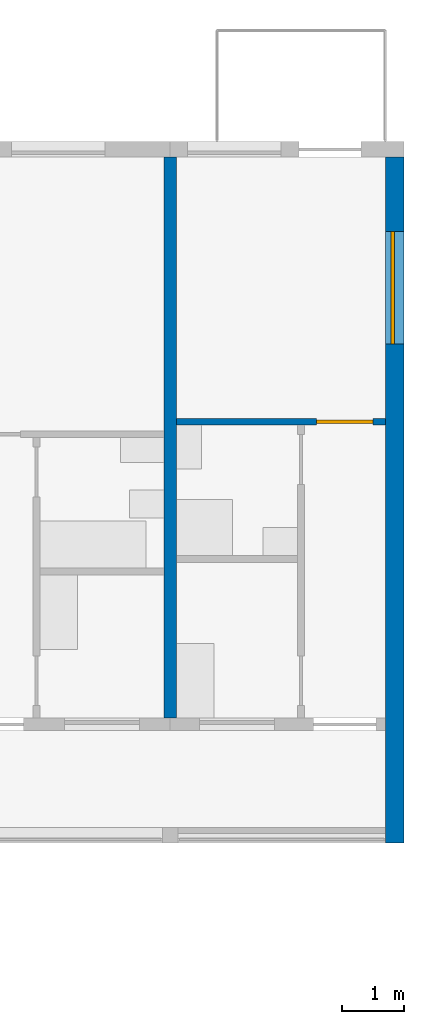
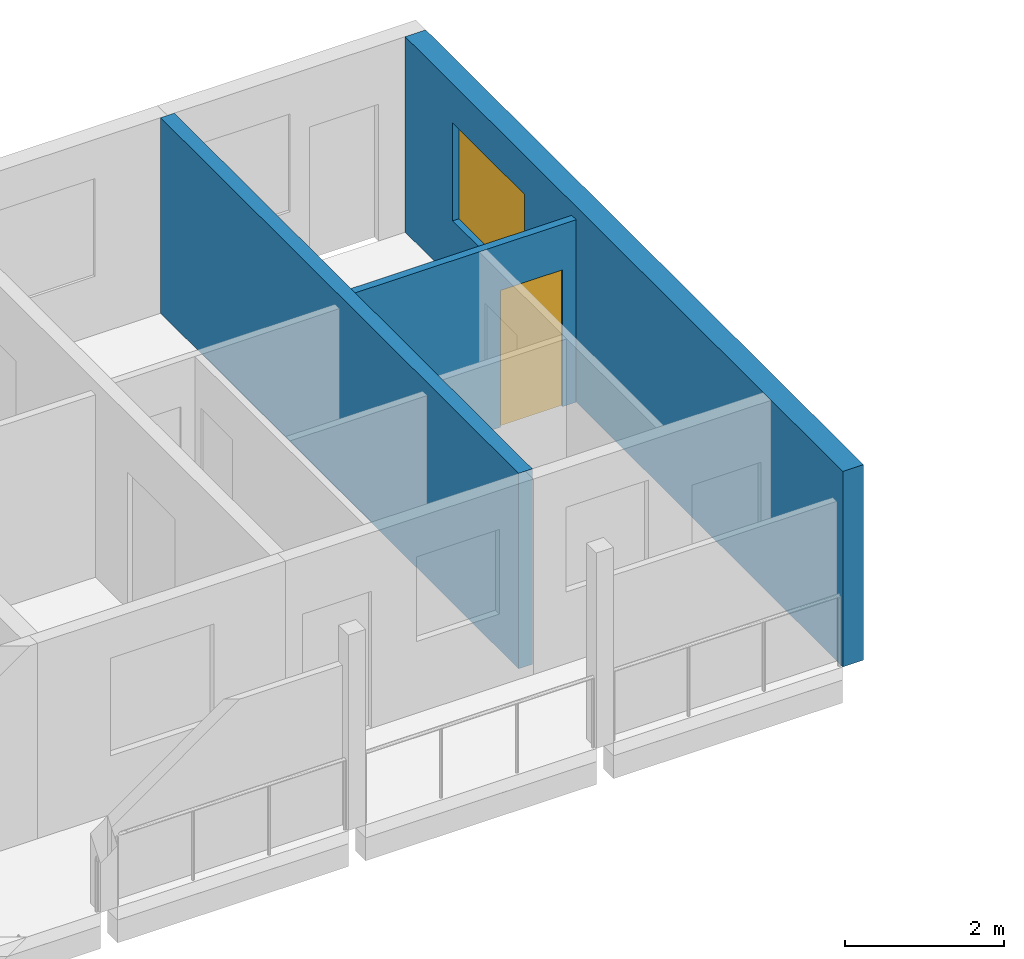
# One storey, part 57 of 99: 3 walls, 1 door, 1 window, 2 openings.
"""IFC4 building model written with IfcOpenShell, lengths in metres."""

from ifc_helpers import new_model, si_unit, direction, frame, frame_2d, origin, place, context, subcontext, project, spatial, rectangle, extrude, material, layer, layer_set, type_object, element, fill, save


model = new_model("IFC4")

# Units and contexts
model_context = context("Model", 3, precision=1e-05, world=origin(), true_north=direction((0.0, 1.0)))
body_context = subcontext(model_context, "Body", "Model", "MODEL_VIEW")
ifc_project = project(units=[si_unit("LENGTHUNIT", "METRE"), si_unit("AREAUNIT", "SQUARE_METRE"), si_unit("VOLUMEUNIT", "CUBIC_METRE"), si_unit("PLANEANGLEUNIT", "RADIAN"), si_unit("MASSUNIT", "GRAM", prefix="KILO")], contexts=[model_context])

# Site, building, storey
site_placement = place(None, origin())
site = spatial("IfcSite", under=ifc_project, at=site_placement, CompositionType="ELEMENT")
building_placement = place(site_placement, origin())
building = spatial("IfcBuilding", under=site, at=building_placement, Name="Ridgestep Commons", CompositionType="ELEMENT")
storey_placement = place(building_placement, frame((0.0, 0.0, 15.0)))
storey = spatial("IfcBuildingStorey", under=building, at=storey_placement, Name="L05", CompositionType="ELEMENT", Elevation=15.0)

# Wall
ifc_material_1 = material(Name="Precast concrete C40/50", Category="concrete")
ifc_layer_1 = layer(ifc_material_1, 0.199951171875)
ifc_layer_set_1 = layer_set([ifc_layer_1], Name="Cross wall 200")
wall_type_1 = type_object("IfcWallType", Name="Cross wall 200", PredefinedType="SHEAR", material=ifc_layer_set_1)
wall_1_placement = place(storey_placement, frame((244.0, 68.0, 0.0), z_axis=(0.0, 0.0, 1.0), x_axis=(0.0, 1.0, 0.0)))
element("IfcWall", 1, at=wall_1_placement, inside=storey, type_object=wall_type_1, Name="Cross wall C-05-2440", PredefinedType="SHEAR", context=body_context, shape_type="SweptSolid", body=[
    extrude(rectangle(XDim=9.0, YDim=0.199951171875, at=frame_2d((4.5, 0.0))), origin(), (0.0, 0.0, 1.0), 3.0),
])

# Wall, opening, window
ifc_material_2 = material(Name="Precast concrete C40/50", Category="concrete")
ifc_layer_2 = layer(ifc_material_2, 0.300048828125)
ifc_layer_set_2 = layer_set([ifc_layer_2], Name="Exposed division wall 300")
wall_type_2 = type_object("IfcWallType", Name="Exposed division wall 300", PredefinedType="SHEAR", material=ifc_layer_set_2)
wall_2_placement = place(storey_placement, frame((247.60009765625, 66.0, 0.0), z_axis=(0.0, 0.0, 1.0), x_axis=(0.0, 1.0, 0.0)))
wall_2 = element("IfcWall", 2, at=wall_2_placement, inside=storey, type_object=wall_type_2, Name="Cross wall C-05-2476", PredefinedType="SHEAR", context=body_context, shape_type="SweptSolid", body=[
    extrude(rectangle(XDim=11.0, YDim=0.300048828125, at=frame_2d((5.5, 0.0))), origin(), (0.0, 0.0, 1.0), 3.0),
])
opening_1_placement = place(wall_2_placement, frame((8.0048828125, 0.0, 0.89990234375)))
opening_1 = element("IfcOpeningElement", 3, at=opening_1_placement, cuts=wall_2, Name="Opening W20", PredefinedType="OPENING", context=body_context, shape_type="SweptSolid", body=[
    extrude(rectangle(XDim=1.800048828125, YDim=1.5, at=frame_2d((0.89990234375, 0.75))), frame((0.0, 0.159912109375, 0.0), z_axis=(0.0, -1.0, 0.0), x_axis=(1.0, 0.0, 0.0)), (0.0, 0.0, 1.0), 0.320068359375),
])
ifc_material_3 = material(Name="Aluminium 6063-T6 and glass", Category="aluminium")
window_type = type_object("IfcWindowType", Name="Flat window 1800 x 1500", PartitioningType="DOUBLE_PANEL_VERTICAL", PredefinedType="WINDOW", material=ifc_material_3)
window_placement = place(opening_1_placement, origin())
window = element("IfcWindow", 4, at=window_placement, inside=storey, type_object=window_type, Name="Window C6-05a 3", OverallHeight=1.5, OverallWidth=1.800048828125, PartitioningType="SINGLE_PANEL", PredefinedType="WINDOW", context=body_context, shape_type="SweptSolid", body=[
    extrude(rectangle(XDim=1.800048828125, YDim=1.5, at=frame_2d((0.89990234375, 0.75))), frame((0.0, 0.06005859375, 0.0), z_axis=(0.0, -1.0, 0.0), x_axis=(1.0, 0.0, 0.0)), (0.0, 0.0, 1.0), 0.06005859375),
])
fill(opening_1, window)

# Wall, opening, door
ifc_material_4 = material(Name="Common brick 110 mm", Category="masonry")
ifc_layer_3 = layer(ifc_material_4, 0.110107421875)
ifc_layer_set_3 = layer_set([ifc_layer_3], Name="Partition 110")
wall_type_3 = type_object("IfcWallType", Name="Partition 110", PredefinedType="PARTITIONING", material=ifc_layer_set_3)
wall_3_placement = place(storey_placement, frame((244.10009765625, 72.7548828125, 0.0), z_axis=(0.0, 0.0, 1.0), x_axis=(1.0, 0.0, 0.0)))
wall_3 = element("IfcWall", 5, at=wall_3_placement, inside=storey, type_object=wall_type_3, Name="Partition C6-05a", PredefinedType="PARTITIONING", context=body_context, shape_type="SweptSolid", body=[
    extrude(rectangle(XDim=3.349853515625, YDim=0.110107421875, at=frame_2d((1.6748046875, 0.0))), origin(), (0.0, 0.0, 1.0), 2.800048828125),
])
opening_2_placement = place(wall_3_placement, frame((2.25, 0.0, 0.0)))
opening_2 = element("IfcOpeningElement", 6, at=opening_2_placement, cuts=wall_3, Name="Opening C6-05a/4", PredefinedType="OPENING", context=body_context, shape_type="SweptSolid", body=[
    extrude(rectangle(XDim=0.89990234375, YDim=2.10009765625, at=frame_2d((0.449951171875, 1.050048828125))), frame((0.0, 0.06494140625, 0.0), z_axis=(0.0, -1.0, 0.0), x_axis=(1.0, 0.0, 0.0)), (0.0, 0.0, 1.0), 0.130126953125),
])
ifc_material_5 = material(Name="Timber door leaf", Category="wood")
door_type = type_object("IfcDoorType", Name="Internal door 900 x 2100", OperationType="NOTDEFINED", PredefinedType="DOOR", material=ifc_material_5)
door_placement = place(opening_2_placement, origin())
door = element("IfcDoor", 7, at=door_placement, inside=storey, type_object=door_type, Name="Internal door C6-05a/4", OperationType="SINGLE_SWING_LEFT", OverallHeight=2.10009765625, OverallWidth=0.89990234375, PredefinedType="DOOR", context=body_context, shape_type="SweptSolid", body=[
    extrude(rectangle(XDim=0.89990234375, YDim=2.10009765625, at=frame_2d((0.449951171875, 1.050048828125))), frame((0.0, 0.02490234375, 0.0), z_axis=(0.0, -1.0, 0.0), x_axis=(1.0, 0.0, 0.0)), (0.0, 0.0, 1.0), 0.050048828125),
])
fill(opening_2, door)

save(model, "model.ifc")
